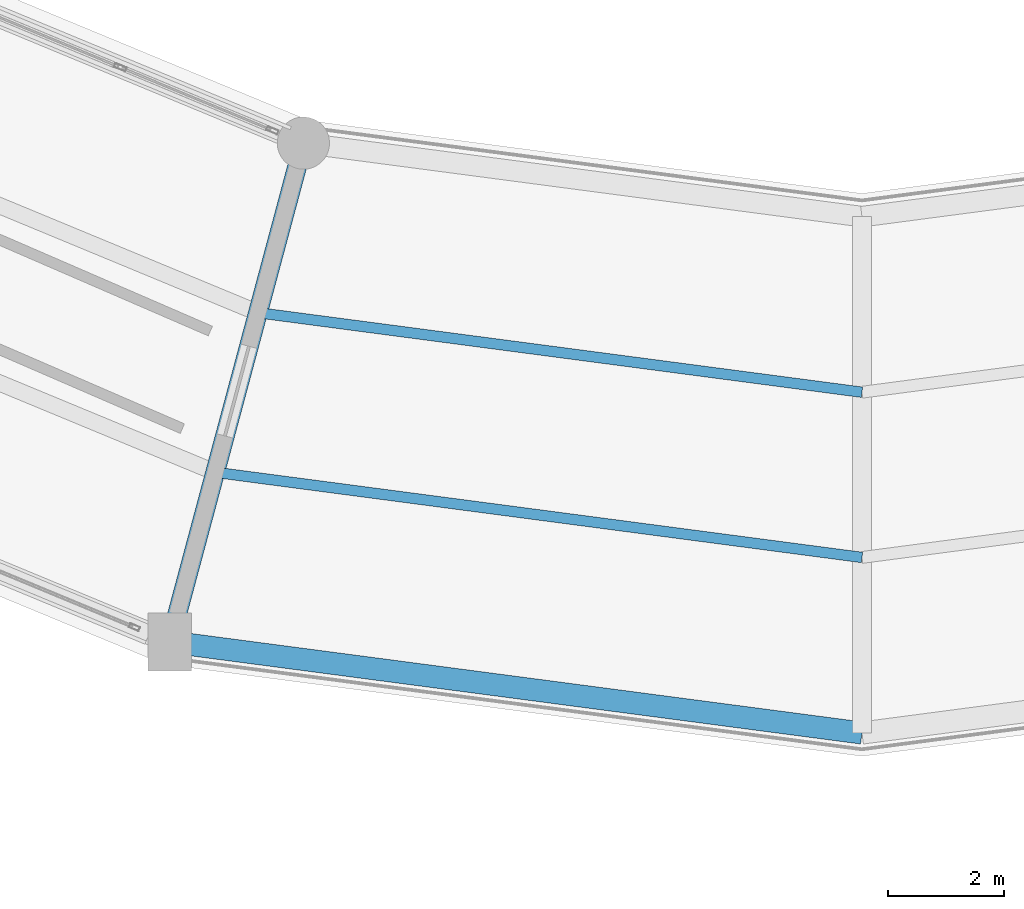
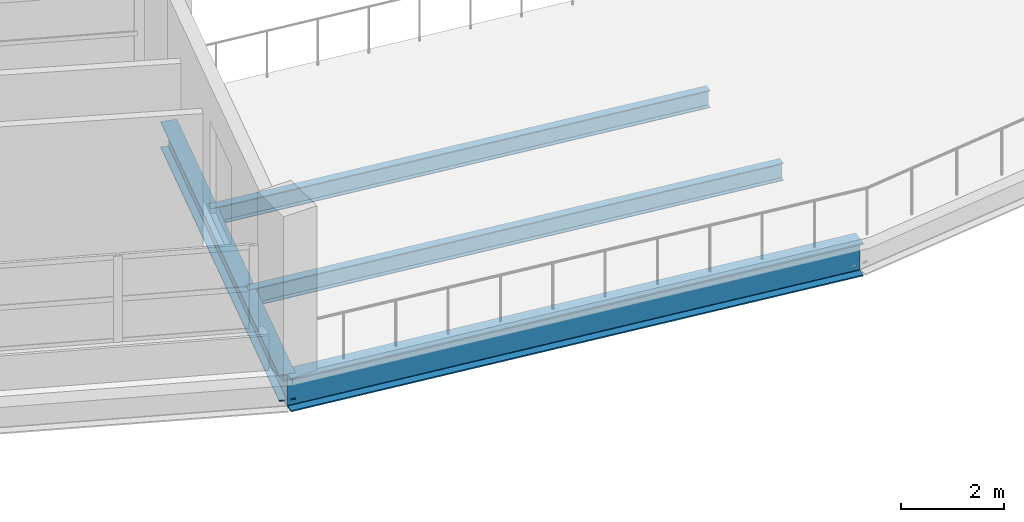
# One storey, part 4 of 53: 4 beams.
"""IFC4 building model written with IfcOpenShell, lengths in metres."""

from ifc_helpers import new_model, si_unit, direction, frame, origin, origin_2d, place, context, subcontext, project, spatial, i_section, extrude, material, material_profile, profile_set, type_object, element, save


model = new_model("IFC4")

# Units and contexts
model_context = context("Model", 3, precision=1e-05, world=origin(), true_north=direction((0.0, 1.0)))
body_context = subcontext(model_context, "Body", "Model", "MODEL_VIEW")
ifc_project = project(units=[si_unit("LENGTHUNIT", "METRE"), si_unit("AREAUNIT", "SQUARE_METRE"), si_unit("VOLUMEUNIT", "CUBIC_METRE"), si_unit("PLANEANGLEUNIT", "RADIAN"), si_unit("MASSUNIT", "GRAM", prefix="KILO")], contexts=[model_context])

# Site, building, storey
site_placement = place(None, origin())
site = spatial("IfcSite", under=ifc_project, at=site_placement, CompositionType="ELEMENT")
building_placement = place(site_placement, origin())
building = spatial("IfcBuilding", under=site, at=building_placement, Name="Vespera Passage Community Centre", CompositionType="ELEMENT")
storey_placement = place(building_placement, frame((0.0, 0.0, 20.39990234375)))
storey = spatial("IfcBuildingStorey", under=building, at=storey_placement, Name="L05", CompositionType="ELEMENT", Elevation=20.39990234375)

# Beams
ifc_material_1 = material(Name="Steel ASTM A992 Grade 50", Category="steel")
ifc_material_profile_1 = material_profile(ifc_material_1, i_section(OverallWidth=0.32763671875, OverallDepth=0.62841796875, WebThickness=0.0166015625, FlangeThickness=0.027587890625, FilletRadius=0.0126953125, at=origin_2d()), Name="W24X146")
ifc_profile_set_1 = profile_set([ifc_material_profile_1], Name="Steel ASTM A992 Grade 50")
beam_type_1 = type_object("IfcBeamType", Name="BM-G-W24X146", PredefinedType="BEAM", material=ifc_profile_set_1)
beam_1_placement = place(storey_placement, frame((68.371826171875, 29.567626953125, -0.57421875), z_axis=(-0.258811497245, -0.9659278487, 0.0), x_axis=(0.9659278487, -0.258811497245, 0.0)))
element("IfcBeam", 1, at=beam_1_placement, inside=storey, type_object=beam_type_1, Name="V4 L05 Radial Girder 17", PredefinedType="BEAM", context=body_context, shape_type="SweptSolid", body=[
    extrude(i_section(OverallWidth=0.32763671875, OverallDepth=0.62841796875, WebThickness=0.0166015625, FlangeThickness=0.027587890625, FilletRadius=0.0126953125, at=origin_2d()), origin(), (0.0, 0.0, 1.0), 8.900146484375),
])
ifc_material_2 = material(Name="Steel ASTM A992 Grade 50", Category="steel")
ifc_material_profile_2 = material_profile(ifc_material_2, i_section(OverallWidth=0.180908203125, OverallDepth=0.417236328125, WebThickness=0.010986328125, FlangeThickness=0.018310546875, FilletRadius=0.01025390625, at=origin_2d()), Name="W16X57")
ifc_profile_set_2 = profile_set([ifc_material_profile_2], Name="Steel ASTM A992 Grade 50")
beam_type_2 = type_object("IfcBeamType", Name="BM-J-W16X57", PredefinedType="JOIST", material=ifc_profile_set_2)
beam_2_placement = place(storey_placement, frame((67.588623046875, 26.644775390625, -0.468505859375), z_axis=(0.991442817683, -0.130541714651, 0.0), x_axis=(0.130541714651, 0.991442817683, 0.0)))
element("IfcBeam", 2, at=beam_2_placement, inside=storey, type_object=beam_type_2, Name="V4 L05 Floor Joist 17.1", PredefinedType="JOIST", context=body_context, shape_type="SweptSolid", body=[
    extrude(i_section(OverallWidth=0.180908203125, OverallDepth=0.417236328125, WebThickness=0.010986328125, FlangeThickness=0.018310546875, FilletRadius=0.01025390625, at=origin_2d()), origin(), (0.0, 0.0, 1.0), 10.501220703125),
])
beam_3_placement = place(storey_placement, frame((66.8515625, 23.893798828125, -0.468505859375), z_axis=(0.991444242244, -0.130530894892, 0.0), x_axis=(0.130530894892, 0.991444242244, 0.0)))
element("IfcBeam", 3, at=beam_3_placement, inside=storey, type_object=beam_type_2, Name="V4 L05 Floor Joist 17.2", PredefinedType="JOIST", context=body_context, shape_type="SweptSolid", body=[
    extrude(i_section(OverallWidth=0.180908203125, OverallDepth=0.417236328125, WebThickness=0.010986328125, FlangeThickness=0.018310546875, FilletRadius=0.01025390625, at=origin_2d()), origin(), (0.0, 0.0, 1.0), 11.24462890625),
])
ifc_material_3 = material(Name="Steel ASTM A992 Grade 50", Category="steel")
ifc_material_profile_3 = material_profile(ifc_material_3, i_section(OverallWidth=0.382080078125, OverallDepth=0.779296875, WebThickness=0.01806640625, FlangeThickness=0.030029296875, FilletRadius=0.0166015625, at=origin_2d()), Name="W30X191")
ifc_profile_set_3 = profile_set([ifc_material_profile_3], Name="Steel ASTM A992 Grade 50")
beam_type_3 = type_object("IfcBeamType", Name="BM-SP-W30X191E", PredefinedType="SPANDREL", material=ifc_profile_set_3)
beam_4_placement = place(storey_placement, frame((66.068359375, 20.970703125, -0.649658203125), z_axis=(0.991445178667, -0.130523782115, 0.0), x_axis=(0.130523782115, 0.991445178667, 0.0)))
element("IfcBeam", 4, at=beam_4_placement, inside=storey, type_object=beam_type_3, Name="V4 L05 Outer Spandrel 17", PredefinedType="SPANDREL", context=body_context, shape_type="SweptSolid", body=[
    extrude(i_section(OverallWidth=0.382080078125, OverallDepth=0.779296875, WebThickness=0.01806640625, FlangeThickness=0.030029296875, FilletRadius=0.0166015625, at=origin_2d()), origin(), (0.0, 0.0, 1.0), 12.03466796875),
])

save(model, "model.ifc")
